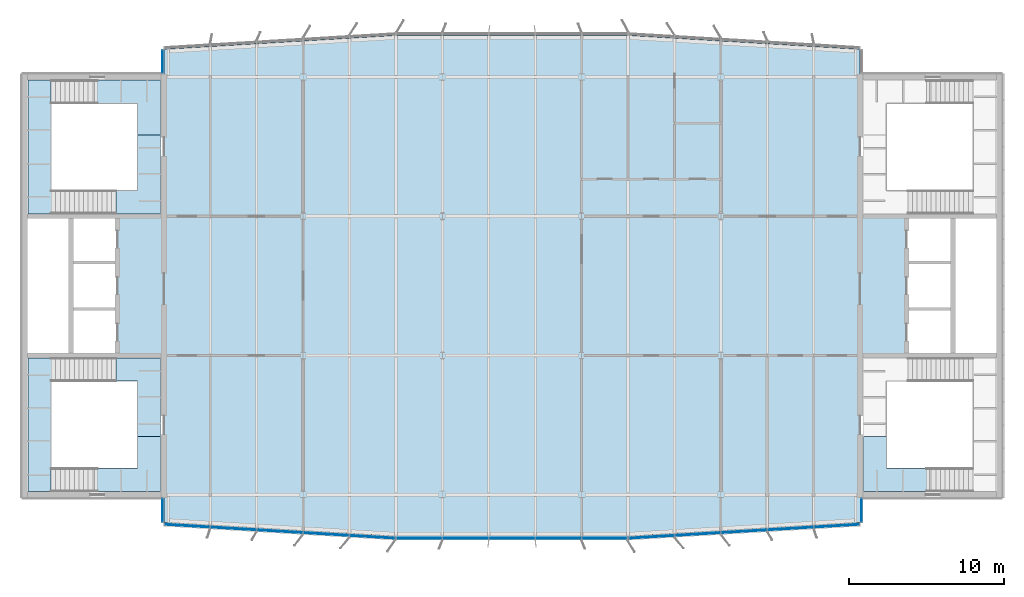
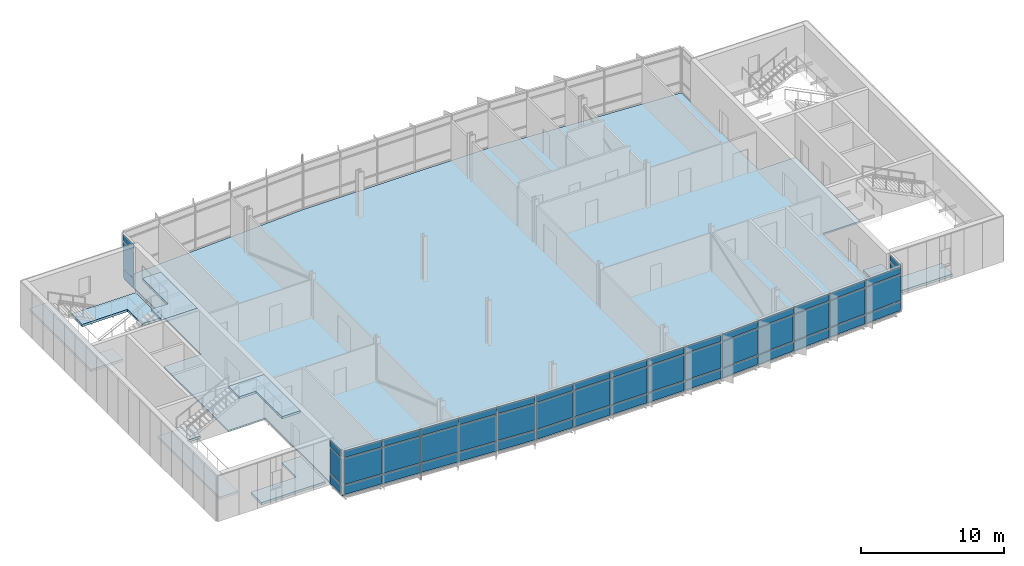
# One storey, part 10 of 18: 54 plates, 8 slabs, 9 elements without a shape of their own.
"""IFC4 building model written with IfcOpenShell, lengths in metres."""

from ifc_helpers import new_model, si_unit, direction, frame, origin, origin_2d, place, context, subcontext, project, spatial, polyline, rectangle, outline, extrude, material, layer, layer_set, type_object, element, aggregate, save


model = new_model("IFC4")

# Units and contexts
model_context = context("Model", 3, precision=1e-05, world=origin(), true_north=direction((0.0, 1.0)))
body_context = subcontext(model_context, "Body", "Model", "MODEL_VIEW")
ifc_project = project(units=[si_unit("LENGTHUNIT", "METRE"), si_unit("AREAUNIT", "SQUARE_METRE"), si_unit("VOLUMEUNIT", "CUBIC_METRE"), si_unit("PLANEANGLEUNIT", "RADIAN"), si_unit("MASSUNIT", "GRAM", prefix="KILO")], contexts=[model_context])

# Site, building, storey
site_placement = place(None, origin())
site = spatial("IfcSite", under=ifc_project, at=site_placement, CompositionType="ELEMENT")
building_placement = place(site_placement, origin())
building = spatial("IfcBuilding", under=site, at=building_placement, Name="Azimuth Sports and Learning Centre", CompositionType="ELEMENT")
storey_placement = place(building_placement, frame((0.0, 0.0, 59.699951171875)))
storey = spatial("IfcBuildingStorey", under=building, at=storey_placement, Name="L13", CompositionType="ELEMENT", Elevation=59.699951171875)

# Slab
ifc_material_1 = material(Name="Concrete C30/37", Category="concrete")
ifc_layer_1 = layer(ifc_material_1, 0.1298828125)
ifc_layer_set_1 = layer_set([ifc_layer_1], Name="Concrete C30/37")
slab_type_1 = type_object("IfcSlabType", Name="Composite floor slab 130", PredefinedType="FLOOR", material=ifc_layer_set_1)
slab_1_placement = place(storey_placement, frame((0.0, 0.0, -0.1298828125)))
element("IfcSlab", 1, at=slab_1_placement, inside=storey, type_object=slab_type_1, Name="Slab TOWER L13", PredefinedType="FLOOR", context=body_context, shape_type="SweptSolid", body=[
    extrude(outline(polyline([(78.0, 87.300048828125), (93.0, 87.300048828125), (108.0, 88.199951171875), (108.0, 99.0), (111.0, 99.0), (111.0, 108.0), (108.0, 108.0), (108.0, 118.800048828125), (93.0, 119.699951171875), (78.0, 119.699951171875), (63.0, 118.800048828125), (63.0, 108.0), (60.0, 108.0), (60.0, 99.0), (63.0, 99.0), (63.0, 88.199951171875), (78.0, 87.300048828125)])), origin(), (0.0, 0.0, 1.0), 0.1298828125),
])

# Stair, slabs
ifc_material_2 = material(Name="Concrete C32/40", Category="concrete")
stair_type = type_object("IfcStairType", Name="Square-well stair core 3900 storey", PredefinedType="THREE_QUARTER_TURN_STAIR", material=ifc_material_2)
stair_1_placement = place(storey_placement, origin())
stair_1 = element("IfcStair", 2, at=stair_1_placement, inside=storey, type_object=stair_type, Name="Stair W1 L13-L14", PredefinedType="THREE_QUARTER_TURN_STAIR")
ifc_material_3 = material(Name="Concrete C32/40", Category="concrete")
ifc_layer_2 = layer(ifc_material_3, 0.199951171875)
ifc_layer_set_2 = layer_set([ifc_layer_2], Name="Concrete C32/40")
slab_type_2 = type_object("IfcSlabType", Name="Concrete stair landing", PredefinedType="LANDING", material=ifc_layer_set_2)
slab_2_placement = place(storey_placement, frame((0.0, 0.0, -0.199951171875)))
slab_2 = element("IfcSlab", 3, at=slab_2_placement, type_object=slab_type_2, Name="Stair W1 L13 landing 1", PredefinedType="LANDING", context=body_context, shape_type="SweptSolid", body=[
    extrude(outline(polyline([(62.7900390625, 90.2099609375), (62.7900390625, 93.75), (61.2900390625, 93.75), (61.2900390625, 91.7099609375), (57.610107421875, 91.7099609375), (57.610107421875, 90.2099609375), (62.7900390625, 90.2099609375)])), origin(), (0.0, 0.0, 1.0), 0.199951171875),
])
slab_3_placement = place(storey_placement, frame((0.0, 0.0, 1.449951171875)))
slab_3 = element("IfcSlab", 4, at=slab_3_placement, type_object=slab_type_2, Name="Stair W1 L13 landing 2", PredefinedType="LANDING", context=body_context, shape_type="SweptSolid", body=[
    extrude(outline(polyline([(55.7099609375, 91.7099609375), (55.7099609375, 97.340087890625), (56.81005859375, 97.340087890625), (56.81005859375, 98.840087890625), (54.2099609375, 98.840087890625), (54.2099609375, 90.2099609375), (55.710693359375, 90.2099609375), (55.710693359375, 91.7099609375), (55.7099609375, 91.7099609375)])), origin(), (0.0, 0.0, 1.0), 0.2001953125),
])
slab_4_placement = place(storey_placement, frame((0.0, 0.0, 3.699951171875)))
slab_4 = element("IfcSlab", 5, at=slab_4_placement, type_object=slab_type_2, Name="Stair W1 L13 landing 3", PredefinedType="LANDING", context=body_context, shape_type="SweptSolid", body=[
    extrude(outline(polyline([(61.2900390625, 97.340087890625), (61.2900390625, 93.75), (62.7900390625, 93.75), (62.7900390625, 98.840087890625), (59.9091796875, 98.840087890625), (59.9091796875, 97.340087890625), (61.2900390625, 97.340087890625)])), origin(), (0.0, 0.0, 1.0), 0.2001953125),
])
aggregate(stair_1, [slab_2, slab_3, slab_4])

stair_2_placement = place(storey_placement, origin())
stair_2 = element("IfcStair", 6, at=stair_2_placement, inside=storey, type_object=stair_type, Name="Stair W2 L13-L14", PredefinedType="THREE_QUARTER_TURN_STAIR")
slab_5_placement = place(storey_placement, frame((0.0, 0.0, -0.199951171875)))
slab_5 = element("IfcSlab", 7, at=slab_5_placement, type_object=slab_type_2, Name="Stair W2 L13 landing 1", PredefinedType="LANDING", context=body_context, shape_type="SweptSolid", body=[
    extrude(outline(polyline([(57.610107421875, 115.2900390625), (61.2900390625, 115.2900390625), (61.2900390625, 113.25), (62.7900390625, 113.25), (62.7900390625, 116.7900390625), (57.610107421875, 116.7900390625), (57.610107421875, 115.2900390625)])), origin(), (0.0, 0.0, 1.0), 0.199951171875),
])
slab_6_placement = place(storey_placement, frame((0.0, 0.0, 1.449951171875)))
slab_6 = element("IfcSlab", 8, at=slab_6_placement, type_object=slab_type_2, Name="Stair W2 L13 landing 2", PredefinedType="LANDING", context=body_context, shape_type="SweptSolid", body=[
    extrude(outline(polyline([(55.7099609375, 115.2900390625), (55.710693359375, 115.2900390625), (55.710693359375, 116.7900390625), (54.2099609375, 116.7900390625), (54.2099609375, 108.159912109375), (56.81005859375, 108.159912109375), (56.81005859375, 109.659912109375), (55.7099609375, 109.659912109375), (55.7099609375, 115.2900390625)])), origin(), (0.0, 0.0, 1.0), 0.2001953125),
])
slab_7_placement = place(storey_placement, frame((0.0, 0.0, 3.699951171875)))
slab_7 = element("IfcSlab", 9, at=slab_7_placement, type_object=slab_type_2, Name="Stair W2 L13 landing 3", PredefinedType="LANDING", context=body_context, shape_type="SweptSolid", body=[
    extrude(outline(polyline([(61.2900390625, 109.659912109375), (59.9091796875, 109.659912109375), (59.9091796875, 108.159912109375), (62.7900390625, 108.159912109375), (62.7900390625, 113.25), (61.2900390625, 113.25), (61.2900390625, 109.659912109375)])), origin(), (0.0, 0.0, 1.0), 0.2001953125),
])
aggregate(stair_2, [slab_5, slab_6, slab_7])

# Stair, slab
stair_3_placement = place(storey_placement, origin())
stair_3 = element("IfcStair", 10, at=stair_3_placement, inside=storey, type_object=stair_type, Name="Stair E1 L13-L14", PredefinedType="THREE_QUARTER_TURN_STAIR")
slab_8_placement = place(storey_placement, frame((0.0, 0.0, -0.199951171875)))
slab_8 = element("IfcSlab", 11, at=slab_8_placement, type_object=slab_type_2, Name="Stair E1 L13 landing 1", PredefinedType="LANDING", context=body_context, shape_type="SweptSolid", body=[
    extrude(outline(polyline([(113.389892578125, 91.7099609375), (109.7099609375, 91.7099609375), (109.7099609375, 93.75), (108.2099609375, 93.75), (108.2099609375, 90.2099609375), (113.389892578125, 90.2099609375), (113.389892578125, 91.7099609375)])), origin(), (0.0, 0.0, 1.0), 0.199951171875),
])
aggregate(stair_3, [slab_8])

# Curtain wall, plates
ifc_material_4 = material(Name="Aluminium and glass", Category="aluminium")
curtain_wall_type_1 = type_object("IfcCurtainWallType", Name="Curtain wall tower return 180", PredefinedType="NOTDEFINED", material=ifc_material_4)
curtain_wall_1_placement = place(storey_placement, origin())
curtain_wall_1 = element("IfcCurtainWall", 12, at=curtain_wall_1_placement, inside=storey, type_object=curtain_wall_type_1, Name="Curtain wall CW13-001", PredefinedType="NOTDEFINED")
ifc_material_5 = material(Name="Insulated aluminium panel", Category="aluminium")
ifc_layer_3 = layer(ifc_material_5, 0.050048828125)
ifc_layer_set_3 = layer_set([ifc_layer_3], Name="Insulated aluminium panel")
plate_type_1 = type_object("IfcPlateType", Name="Spandrel panel 50 mm", PredefinedType="CURTAIN_PANEL", material=ifc_layer_set_3)
plate_1_placement = place(storey_placement, frame((62.909912109375, 89.0, 0.10009765625), z_axis=(0.0, 0.0, 1.0), x_axis=(0.0, -1.0, 0.0)))
plate_1 = element("IfcPlate", 13, at=plate_1_placement, type_object=plate_type_1, Name="CW13-001 panel 1.1", PredefinedType="CURTAIN_PANEL", context=body_context, shape_type="SweptSolid", body=[
    extrude(rectangle(XDim=1.47998046875, YDim=0.050048828125, at=origin_2d()), origin(), (0.0, 0.0, 1.0), 0.75),
])
plate_2_placement = place(storey_placement, frame((62.909912109375, 89.0, 3.25), z_axis=(0.0, 0.0, 1.0), x_axis=(0.0, -1.0, 0.0)))
plate_2 = element("IfcPlate", 14, at=plate_2_placement, type_object=plate_type_1, Name="CW13-001 panel 1.3", PredefinedType="CURTAIN_PANEL", context=body_context, shape_type="SweptSolid", body=[
    extrude(rectangle(XDim=1.47998046875, YDim=0.050048828125, at=origin_2d()), origin(), (0.0, 0.0, 1.0), 0.550048828125),
])

ifc_material_6 = material(Name="Aluminium and glass", Category="aluminium")
curtain_wall_type_2 = type_object("IfcCurtainWallType", Name="Curtain wall tower south 240", PredefinedType="NOTDEFINED", material=ifc_material_6)
curtain_wall_2_placement = place(storey_placement, origin())
curtain_wall_2 = element("IfcCurtainWall", 15, at=curtain_wall_2_placement, inside=storey, type_object=curtain_wall_type_2, Name="Curtain wall CW13-002", PredefinedType="NOTDEFINED")
plate_3_placement = place(storey_placement, frame((64.51025390625, 87.9892578125, 0.10009765625), z_axis=(0.0, 0.0, 1.0), x_axis=(0.998204863401, -0.059891991812, 0.0)))
plate_3 = element("IfcPlate", 16, at=plate_3_placement, type_object=plate_type_1, Name="CW13-002 panel 1.1", PredefinedType="CURTAIN_PANEL", context=body_context, shape_type="SweptSolid", body=[
    extrude(rectangle(XDim=2.900390625, YDim=0.050048828125, at=origin_2d()), origin(), (0.0, 0.0, 1.0), 0.75),
])
plate_4_placement = place(storey_placement, frame((64.51025390625, 87.9892578125, 3.25), z_axis=(0.0, 0.0, 1.0), x_axis=(0.998204863401, -0.059891991812, 0.0)))
plate_4 = element("IfcPlate", 17, at=plate_4_placement, type_object=plate_type_1, Name="CW13-002 panel 1.3", PredefinedType="CURTAIN_PANEL", context=body_context, shape_type="SweptSolid", body=[
    extrude(rectangle(XDim=2.900390625, YDim=0.050048828125, at=origin_2d()), origin(), (0.0, 0.0, 1.0), 0.550048828125),
])
plate_5_placement = place(storey_placement, frame((67.492919921875, 87.810302734375, 0.10009765625), z_axis=(0.0, 0.0, 1.0), x_axis=(0.998204863401, -0.059891991812, 0.0)))
plate_5 = element("IfcPlate", 18, at=plate_5_placement, type_object=plate_type_1, Name="CW13-002 panel 2.1", PredefinedType="CURTAIN_PANEL", context=body_context, shape_type="SweptSolid", body=[
    extrude(rectangle(XDim=2.935302734375, YDim=0.050048828125, at=origin_2d()), origin(), (0.0, 0.0, 1.0), 0.75),
])
plate_6_placement = place(storey_placement, frame((67.492919921875, 87.810302734375, 3.25), z_axis=(0.0, 0.0, 1.0), x_axis=(0.998204863401, -0.059891991812, 0.0)))
plate_6 = element("IfcPlate", 19, at=plate_6_placement, type_object=plate_type_1, Name="CW13-002 panel 2.3", PredefinedType="CURTAIN_PANEL", context=body_context, shape_type="SweptSolid", body=[
    extrude(rectangle(XDim=2.935302734375, YDim=0.050048828125, at=origin_2d()), origin(), (0.0, 0.0, 1.0), 0.550048828125),
])
plate_7_placement = place(storey_placement, frame((70.492919921875, 87.630126953125, 0.10009765625), z_axis=(0.0, 0.0, 1.0), x_axis=(0.998204863401, -0.059891991812, 0.0)))
plate_7 = element("IfcPlate", 20, at=plate_7_placement, type_object=plate_type_1, Name="CW13-002 panel 3.1", PredefinedType="CURTAIN_PANEL", context=body_context, shape_type="SweptSolid", body=[
    extrude(rectangle(XDim=2.935302734375, YDim=0.050048828125, at=origin_2d()), origin(), (0.0, 0.0, 1.0), 0.75),
])
plate_8_placement = place(storey_placement, frame((70.492919921875, 87.630126953125, 3.25), z_axis=(0.0, 0.0, 1.0), x_axis=(0.998204863401, -0.059891991812, 0.0)))
plate_8 = element("IfcPlate", 21, at=plate_8_placement, type_object=plate_type_1, Name="CW13-002 panel 3.3", PredefinedType="CURTAIN_PANEL", context=body_context, shape_type="SweptSolid", body=[
    extrude(rectangle(XDim=2.935302734375, YDim=0.050048828125, at=origin_2d()), origin(), (0.0, 0.0, 1.0), 0.550048828125),
])
plate_9_placement = place(storey_placement, frame((73.492919921875, 87.4501953125, 0.10009765625), z_axis=(0.0, 0.0, 1.0), x_axis=(0.998204863401, -0.059891991812, 0.0)))
plate_9 = element("IfcPlate", 22, at=plate_9_placement, type_object=plate_type_1, Name="CW13-002 panel 4.1", PredefinedType="CURTAIN_PANEL", context=body_context, shape_type="SweptSolid", body=[
    extrude(rectangle(XDim=2.935302734375, YDim=0.050048828125, at=origin_2d()), origin(), (0.0, 0.0, 1.0), 0.75),
])
plate_10_placement = place(storey_placement, frame((73.492919921875, 87.4501953125, 3.25), z_axis=(0.0, 0.0, 1.0), x_axis=(0.998204863401, -0.059891991812, 0.0)))
plate_10 = element("IfcPlate", 23, at=plate_10_placement, type_object=plate_type_1, Name="CW13-002 panel 4.3", PredefinedType="CURTAIN_PANEL", context=body_context, shape_type="SweptSolid", body=[
    extrude(rectangle(XDim=2.935302734375, YDim=0.050048828125, at=origin_2d()), origin(), (0.0, 0.0, 1.0), 0.550048828125),
])
plate_11_placement = place(storey_placement, frame((76.475341796875, 87.271240234375, 0.10009765625), z_axis=(0.0, 0.0, 1.0), x_axis=(0.998204863401, -0.059891991812, 0.0)))
plate_11 = element("IfcPlate", 24, at=plate_11_placement, type_object=plate_type_1, Name="CW13-002 panel 5.1", PredefinedType="CURTAIN_PANEL", context=body_context, shape_type="SweptSolid", body=[
    extrude(rectangle(XDim=2.900390625, YDim=0.050048828125, at=origin_2d()), origin(), (0.0, 0.0, 1.0), 0.75),
])
plate_12_placement = place(storey_placement, frame((76.475341796875, 87.271240234375, 3.25), z_axis=(0.0, 0.0, 1.0), x_axis=(0.998204863401, -0.059891991812, 0.0)))
plate_12 = element("IfcPlate", 25, at=plate_12_placement, type_object=plate_type_1, Name="CW13-002 panel 5.3", PredefinedType="CURTAIN_PANEL", context=body_context, shape_type="SweptSolid", body=[
    extrude(rectangle(XDim=2.900390625, YDim=0.050048828125, at=origin_2d()), origin(), (0.0, 0.0, 1.0), 0.550048828125),
])

curtain_wall_3_placement = place(storey_placement, origin())
curtain_wall_3 = element("IfcCurtainWall", 26, at=curtain_wall_3_placement, inside=storey, type_object=curtain_wall_type_2, Name="Curtain wall CW13-003", PredefinedType="NOTDEFINED")
plate_13_placement = place(storey_placement, frame((79.513916015625, 87.179931640625, 0.10009765625), z_axis=(0.0, 0.0, 1.0), x_axis=(1.0, 0.0, 0.0)))
plate_13 = element("IfcPlate", 27, at=plate_13_placement, type_object=plate_type_1, Name="CW13-003 panel 1.1", PredefinedType="CURTAIN_PANEL", context=body_context, shape_type="SweptSolid", body=[
    extrude(rectangle(XDim=2.902099609375, YDim=0.050048828125, at=origin_2d()), origin(), (0.0, 0.0, 1.0), 0.75),
])
plate_14_placement = place(storey_placement, frame((79.513916015625, 87.179931640625, 3.25), z_axis=(0.0, 0.0, 1.0), x_axis=(1.0, 0.0, 0.0)))
plate_14 = element("IfcPlate", 28, at=plate_14_placement, type_object=plate_type_1, Name="CW13-003 panel 1.3", PredefinedType="CURTAIN_PANEL", context=body_context, shape_type="SweptSolid", body=[
    extrude(rectangle(XDim=2.902099609375, YDim=0.050048828125, at=origin_2d()), origin(), (0.0, 0.0, 1.0), 0.550048828125),
])
plate_15_placement = place(storey_placement, frame((82.5, 87.179931640625, 0.10009765625), z_axis=(0.0, 0.0, 1.0), x_axis=(1.0, 0.0, 0.0)))
plate_15 = element("IfcPlate", 29, at=plate_15_placement, type_object=plate_type_1, Name="CW13-003 panel 2.1", PredefinedType="CURTAIN_PANEL", context=body_context, shape_type="SweptSolid", body=[
    extrude(rectangle(XDim=2.929931640625, YDim=0.050048828125, at=origin_2d()), origin(), (0.0, 0.0, 1.0), 0.75),
])
plate_16_placement = place(storey_placement, frame((82.5, 87.179931640625, 3.25), z_axis=(0.0, 0.0, 1.0), x_axis=(1.0, 0.0, 0.0)))
plate_16 = element("IfcPlate", 30, at=plate_16_placement, type_object=plate_type_1, Name="CW13-003 panel 2.3", PredefinedType="CURTAIN_PANEL", context=body_context, shape_type="SweptSolid", body=[
    extrude(rectangle(XDim=2.929931640625, YDim=0.050048828125, at=origin_2d()), origin(), (0.0, 0.0, 1.0), 0.550048828125),
])
plate_17_placement = place(storey_placement, frame((85.5, 87.179931640625, 0.10009765625), z_axis=(0.0, 0.0, 1.0), x_axis=(1.0, 0.0, 0.0)))
plate_17 = element("IfcPlate", 31, at=plate_17_placement, type_object=plate_type_1, Name="CW13-003 panel 3.1", PredefinedType="CURTAIN_PANEL", context=body_context, shape_type="SweptSolid", body=[
    extrude(rectangle(XDim=2.929931640625, YDim=0.050048828125, at=origin_2d()), origin(), (0.0, 0.0, 1.0), 0.75),
])
plate_18_placement = place(storey_placement, frame((85.5, 87.179931640625, 3.25), z_axis=(0.0, 0.0, 1.0), x_axis=(1.0, 0.0, 0.0)))
plate_18 = element("IfcPlate", 32, at=plate_18_placement, type_object=plate_type_1, Name="CW13-003 panel 3.3", PredefinedType="CURTAIN_PANEL", context=body_context, shape_type="SweptSolid", body=[
    extrude(rectangle(XDim=2.929931640625, YDim=0.050048828125, at=origin_2d()), origin(), (0.0, 0.0, 1.0), 0.550048828125),
])
plate_19_placement = place(storey_placement, frame((88.5, 87.179931640625, 0.10009765625), z_axis=(0.0, 0.0, 1.0), x_axis=(1.0, 0.0, 0.0)))
plate_19 = element("IfcPlate", 33, at=plate_19_placement, type_object=plate_type_1, Name="CW13-003 panel 4.1", PredefinedType="CURTAIN_PANEL", context=body_context, shape_type="SweptSolid", body=[
    extrude(rectangle(XDim=2.929931640625, YDim=0.050048828125, at=origin_2d()), origin(), (0.0, 0.0, 1.0), 0.75),
])
plate_20_placement = place(storey_placement, frame((88.5, 87.179931640625, 3.25), z_axis=(0.0, 0.0, 1.0), x_axis=(1.0, 0.0, 0.0)))
plate_20 = element("IfcPlate", 34, at=plate_20_placement, type_object=plate_type_1, Name="CW13-003 panel 4.3", PredefinedType="CURTAIN_PANEL", context=body_context, shape_type="SweptSolid", body=[
    extrude(rectangle(XDim=2.929931640625, YDim=0.050048828125, at=origin_2d()), origin(), (0.0, 0.0, 1.0), 0.550048828125),
])
plate_21_placement = place(storey_placement, frame((91.482421875, 87.179931640625, 0.10009765625), z_axis=(0.0, 0.0, 1.0), x_axis=(1.0, 0.0, 0.0)))
plate_21 = element("IfcPlate", 35, at=plate_21_placement, type_object=plate_type_1, Name="CW13-003 panel 5.1", PredefinedType="CURTAIN_PANEL", context=body_context, shape_type="SweptSolid", body=[
    extrude(rectangle(XDim=2.89501953125, YDim=0.050048828125, at=origin_2d()), origin(), (0.0, 0.0, 1.0), 0.75),
])
plate_22_placement = place(storey_placement, frame((91.482421875, 87.179931640625, 3.25), z_axis=(0.0, 0.0, 1.0), x_axis=(1.0, 0.0, 0.0)))
plate_22 = element("IfcPlate", 36, at=plate_22_placement, type_object=plate_type_1, Name="CW13-003 panel 5.3", PredefinedType="CURTAIN_PANEL", context=body_context, shape_type="SweptSolid", body=[
    extrude(rectangle(XDim=2.89501953125, YDim=0.050048828125, at=origin_2d()), origin(), (0.0, 0.0, 1.0), 0.550048828125),
])

curtain_wall_4_placement = place(storey_placement, origin())
curtain_wall_4 = element("IfcCurtainWall", 37, at=curtain_wall_4_placement, inside=storey, type_object=curtain_wall_type_2, Name="Curtain wall CW13-004", PredefinedType="NOTDEFINED")
plate_23_placement = place(storey_placement, frame((94.52099609375, 87.27099609375, 0.10009765625), z_axis=(0.0, 0.0, 1.0), x_axis=(0.998204863401, 0.059891991812, 0.0)))
plate_23 = element("IfcPlate", 38, at=plate_23_placement, type_object=plate_type_1, Name="CW13-004 panel 1.1", PredefinedType="CURTAIN_PANEL", context=body_context, shape_type="SweptSolid", body=[
    extrude(rectangle(XDim=2.90771484375, YDim=0.050048828125, at=origin_2d()), origin(), (0.0, 0.0, 1.0), 0.75),
])
plate_24_placement = place(storey_placement, frame((94.52099609375, 87.27099609375, 3.25), z_axis=(0.0, 0.0, 1.0), x_axis=(0.998204863401, 0.059891991812, 0.0)))
plate_24 = element("IfcPlate", 39, at=plate_24_placement, type_object=plate_type_1, Name="CW13-004 panel 1.3", PredefinedType="CURTAIN_PANEL", context=body_context, shape_type="SweptSolid", body=[
    extrude(rectangle(XDim=2.90771484375, YDim=0.050048828125, at=origin_2d()), origin(), (0.0, 0.0, 1.0), 0.550048828125),
])
plate_25_placement = place(storey_placement, frame((97.507080078125, 87.4501953125, 0.10009765625), z_axis=(0.0, 0.0, 1.0), x_axis=(0.998204863401, 0.059891991812, 0.0)))
plate_25 = element("IfcPlate", 40, at=plate_25_placement, type_object=plate_type_1, Name="CW13-004 panel 2.1", PredefinedType="CURTAIN_PANEL", context=body_context, shape_type="SweptSolid", body=[
    extrude(rectangle(XDim=2.935302734375, YDim=0.050048828125, at=origin_2d()), origin(), (0.0, 0.0, 1.0), 0.75),
])
plate_26_placement = place(storey_placement, frame((97.507080078125, 87.4501953125, 3.25), z_axis=(0.0, 0.0, 1.0), x_axis=(0.998204863401, 0.059891991812, 0.0)))
plate_26 = element("IfcPlate", 41, at=plate_26_placement, type_object=plate_type_1, Name="CW13-004 panel 2.3", PredefinedType="CURTAIN_PANEL", context=body_context, shape_type="SweptSolid", body=[
    extrude(rectangle(XDim=2.935302734375, YDim=0.050048828125, at=origin_2d()), origin(), (0.0, 0.0, 1.0), 0.550048828125),
])
plate_27_placement = place(storey_placement, frame((100.507080078125, 87.630126953125, 0.10009765625), z_axis=(0.0, 0.0, 1.0), x_axis=(0.998204863401, 0.059891991812, 0.0)))
plate_27 = element("IfcPlate", 42, at=plate_27_placement, type_object=plate_type_1, Name="CW13-004 panel 3.1", PredefinedType="CURTAIN_PANEL", context=body_context, shape_type="SweptSolid", body=[
    extrude(rectangle(XDim=2.935302734375, YDim=0.050048828125, at=origin_2d()), origin(), (0.0, 0.0, 1.0), 0.75),
])
plate_28_placement = place(storey_placement, frame((100.507080078125, 87.630126953125, 3.25), z_axis=(0.0, 0.0, 1.0), x_axis=(0.998204863401, 0.059891991812, 0.0)))
plate_28 = element("IfcPlate", 43, at=plate_28_placement, type_object=plate_type_1, Name="CW13-004 panel 3.3", PredefinedType="CURTAIN_PANEL", context=body_context, shape_type="SweptSolid", body=[
    extrude(rectangle(XDim=2.935302734375, YDim=0.050048828125, at=origin_2d()), origin(), (0.0, 0.0, 1.0), 0.550048828125),
])
plate_29_placement = place(storey_placement, frame((103.507080078125, 87.810302734375, 0.10009765625), z_axis=(0.0, 0.0, 1.0), x_axis=(0.998204863401, 0.059891991812, 0.0)))
plate_29 = element("IfcPlate", 44, at=plate_29_placement, type_object=plate_type_1, Name="CW13-004 panel 4.1", PredefinedType="CURTAIN_PANEL", context=body_context, shape_type="SweptSolid", body=[
    extrude(rectangle(XDim=2.935302734375, YDim=0.050048828125, at=origin_2d()), origin(), (0.0, 0.0, 1.0), 0.75),
])
plate_30_placement = place(storey_placement, frame((103.507080078125, 87.810302734375, 3.25), z_axis=(0.0, 0.0, 1.0), x_axis=(0.998204863401, 0.059891991812, 0.0)))
plate_30 = element("IfcPlate", 45, at=plate_30_placement, type_object=plate_type_1, Name="CW13-004 panel 4.3", PredefinedType="CURTAIN_PANEL", context=body_context, shape_type="SweptSolid", body=[
    extrude(rectangle(XDim=2.935302734375, YDim=0.050048828125, at=origin_2d()), origin(), (0.0, 0.0, 1.0), 0.550048828125),
])
plate_31_placement = place(storey_placement, frame((106.48974609375, 87.9892578125, 0.10009765625), z_axis=(0.0, 0.0, 1.0), x_axis=(0.998204863401, 0.059891991812, 0.0)))
plate_31 = element("IfcPlate", 46, at=plate_31_placement, type_object=plate_type_1, Name="CW13-004 panel 5.1", PredefinedType="CURTAIN_PANEL", context=body_context, shape_type="SweptSolid", body=[
    extrude(rectangle(XDim=2.900390625, YDim=0.050048828125, at=origin_2d()), origin(), (0.0, 0.0, 1.0), 0.75),
])
plate_32_placement = place(storey_placement, frame((106.48974609375, 87.9892578125, 3.25), z_axis=(0.0, 0.0, 1.0), x_axis=(0.998204863401, 0.059891991812, 0.0)))
plate_32 = element("IfcPlate", 47, at=plate_32_placement, type_object=plate_type_1, Name="CW13-004 panel 5.3", PredefinedType="CURTAIN_PANEL", context=body_context, shape_type="SweptSolid", body=[
    extrude(rectangle(XDim=2.900390625, YDim=0.050048828125, at=origin_2d()), origin(), (0.0, 0.0, 1.0), 0.550048828125),
])

curtain_wall_5_placement = place(storey_placement, origin())
curtain_wall_5 = element("IfcCurtainWall", 48, at=curtain_wall_5_placement, inside=storey, type_object=curtain_wall_type_1, Name="Curtain wall CW13-005", PredefinedType="NOTDEFINED")
plate_33_placement = place(storey_placement, frame((108.090087890625, 89.0, 0.10009765625), z_axis=(0.0, 0.0, 1.0), x_axis=(0.0, 1.0, 0.0)))
plate_33 = element("IfcPlate", 49, at=plate_33_placement, type_object=plate_type_1, Name="CW13-005 panel 1.1", PredefinedType="CURTAIN_PANEL", context=body_context, shape_type="SweptSolid", body=[
    extrude(rectangle(XDim=1.47998046875, YDim=0.050048828125, at=origin_2d()), origin(), (0.0, 0.0, 1.0), 0.75),
])
plate_34_placement = place(storey_placement, frame((108.090087890625, 89.0, 3.25), z_axis=(0.0, 0.0, 1.0), x_axis=(0.0, 1.0, 0.0)))
plate_34 = element("IfcPlate", 50, at=plate_34_placement, type_object=plate_type_1, Name="CW13-005 panel 1.3", PredefinedType="CURTAIN_PANEL", context=body_context, shape_type="SweptSolid", body=[
    extrude(rectangle(XDim=1.47998046875, YDim=0.050048828125, at=origin_2d()), origin(), (0.0, 0.0, 1.0), 0.550048828125),
])

curtain_wall_6_placement = place(storey_placement, origin())
curtain_wall_6 = element("IfcCurtainWall", 51, at=curtain_wall_6_placement, inside=storey, type_object=curtain_wall_type_1, Name="Curtain wall CW13-010", PredefinedType="NOTDEFINED")
plate_35_placement = place(storey_placement, frame((62.909912109375, 118.0, 0.10009765625), z_axis=(0.0, 0.0, 1.0), x_axis=(0.0, -1.0, 0.0)))
plate_35 = element("IfcPlate", 52, at=plate_35_placement, type_object=plate_type_1, Name="CW13-010 panel 1.1", PredefinedType="CURTAIN_PANEL", context=body_context, shape_type="SweptSolid", body=[
    extrude(rectangle(XDim=1.47998046875, YDim=0.050048828125, at=origin_2d()), origin(), (0.0, 0.0, 1.0), 0.75),
])
plate_36_placement = place(storey_placement, frame((62.909912109375, 118.0, 3.25), z_axis=(0.0, 0.0, 1.0), x_axis=(0.0, -1.0, 0.0)))
plate_36 = element("IfcPlate", 53, at=plate_36_placement, type_object=plate_type_1, Name="CW13-010 panel 1.3", PredefinedType="CURTAIN_PANEL", context=body_context, shape_type="SweptSolid", body=[
    extrude(rectangle(XDim=1.47998046875, YDim=0.050048828125, at=origin_2d()), origin(), (0.0, 0.0, 1.0), 0.550048828125),
])

# Plate
ifc_material_7 = material(Name="Glass", Category="glass")
ifc_layer_4 = layer(ifc_material_7, 0.031982421875)
ifc_layer_set_4 = layer_set([ifc_layer_4], Name="Glass")
plate_type_2 = type_object("IfcPlateType", Name="Vision glass 32 mm", PredefinedType="CURTAIN_PANEL", material=ifc_layer_set_4)
plate_37_placement = place(storey_placement, frame((62.909912109375, 89.0, 0.9501953125), z_axis=(0.0, 0.0, 1.0), x_axis=(0.0, -1.0, 0.0)))
plate_37 = element("IfcPlate", 54, at=plate_37_placement, type_object=plate_type_2, Name="CW13-001 panel 1.2", PredefinedType="CURTAIN_PANEL", context=body_context, shape_type="SweptSolid", body=[
    extrude(rectangle(XDim=1.47998046875, YDim=0.031982421875, at=origin_2d()), origin(), (0.0, 0.0, 1.0), 2.199951171875),
])

aggregate(curtain_wall_1, [plate_1, plate_37, plate_2])

plate_38_placement = place(storey_placement, frame((64.51025390625, 87.9892578125, 0.9501953125), z_axis=(0.0, 0.0, 1.0), x_axis=(0.998204863401, -0.059891991812, 0.0)))
plate_38 = element("IfcPlate", 55, at=plate_38_placement, type_object=plate_type_2, Name="CW13-002 panel 1.2", PredefinedType="CURTAIN_PANEL", context=body_context, shape_type="SweptSolid", body=[
    extrude(rectangle(XDim=2.900390625, YDim=0.031982421875, at=origin_2d()), origin(), (0.0, 0.0, 1.0), 2.199951171875),
])

plate_39_placement = place(storey_placement, frame((67.492919921875, 87.810302734375, 0.9501953125), z_axis=(0.0, 0.0, 1.0), x_axis=(0.998204863401, -0.059891991812, 0.0)))
plate_39 = element("IfcPlate", 56, at=plate_39_placement, type_object=plate_type_2, Name="CW13-002 panel 2.2", PredefinedType="CURTAIN_PANEL", context=body_context, shape_type="SweptSolid", body=[
    extrude(rectangle(XDim=2.935302734375, YDim=0.031982421875, at=origin_2d()), origin(), (0.0, 0.0, 1.0), 2.199951171875),
])

plate_40_placement = place(storey_placement, frame((70.492919921875, 87.630126953125, 0.9501953125), z_axis=(0.0, 0.0, 1.0), x_axis=(0.998204863401, -0.059891991812, 0.0)))
plate_40 = element("IfcPlate", 57, at=plate_40_placement, type_object=plate_type_2, Name="CW13-002 panel 3.2", PredefinedType="CURTAIN_PANEL", context=body_context, shape_type="SweptSolid", body=[
    extrude(rectangle(XDim=2.935302734375, YDim=0.031982421875, at=origin_2d()), origin(), (0.0, 0.0, 1.0), 2.199951171875),
])

plate_41_placement = place(storey_placement, frame((73.492919921875, 87.4501953125, 0.9501953125), z_axis=(0.0, 0.0, 1.0), x_axis=(0.998204863401, -0.059891991812, 0.0)))
plate_41 = element("IfcPlate", 58, at=plate_41_placement, type_object=plate_type_2, Name="CW13-002 panel 4.2", PredefinedType="CURTAIN_PANEL", context=body_context, shape_type="SweptSolid", body=[
    extrude(rectangle(XDim=2.935302734375, YDim=0.031982421875, at=origin_2d()), origin(), (0.0, 0.0, 1.0), 2.199951171875),
])

plate_42_placement = place(storey_placement, frame((76.475341796875, 87.271240234375, 0.9501953125), z_axis=(0.0, 0.0, 1.0), x_axis=(0.998204863401, -0.059891991812, 0.0)))
plate_42 = element("IfcPlate", 59, at=plate_42_placement, type_object=plate_type_2, Name="CW13-002 panel 5.2", PredefinedType="CURTAIN_PANEL", context=body_context, shape_type="SweptSolid", body=[
    extrude(rectangle(XDim=2.900390625, YDim=0.031982421875, at=origin_2d()), origin(), (0.0, 0.0, 1.0), 2.199951171875),
])

aggregate(curtain_wall_2, [plate_3, plate_38, plate_4, plate_5, plate_39, plate_6, plate_7, plate_40, plate_8, plate_9, plate_41, plate_10, plate_11, plate_42, plate_12])

plate_43_placement = place(storey_placement, frame((79.513916015625, 87.179931640625, 0.9501953125), z_axis=(0.0, 0.0, 1.0), x_axis=(1.0, 0.0, 0.0)))
plate_43 = element("IfcPlate", 60, at=plate_43_placement, type_object=plate_type_2, Name="CW13-003 panel 1.2", PredefinedType="CURTAIN_PANEL", context=body_context, shape_type="SweptSolid", body=[
    extrude(rectangle(XDim=2.902099609375, YDim=0.031982421875, at=origin_2d()), origin(), (0.0, 0.0, 1.0), 2.199951171875),
])

plate_44_placement = place(storey_placement, frame((82.5, 87.179931640625, 0.9501953125), z_axis=(0.0, 0.0, 1.0), x_axis=(1.0, 0.0, 0.0)))
plate_44 = element("IfcPlate", 61, at=plate_44_placement, type_object=plate_type_2, Name="CW13-003 panel 2.2", PredefinedType="CURTAIN_PANEL", context=body_context, shape_type="SweptSolid", body=[
    extrude(rectangle(XDim=2.929931640625, YDim=0.031982421875, at=origin_2d()), origin(), (0.0, 0.0, 1.0), 2.199951171875),
])

plate_45_placement = place(storey_placement, frame((85.5, 87.179931640625, 0.9501953125), z_axis=(0.0, 0.0, 1.0), x_axis=(1.0, 0.0, 0.0)))
plate_45 = element("IfcPlate", 62, at=plate_45_placement, type_object=plate_type_2, Name="CW13-003 panel 3.2", PredefinedType="CURTAIN_PANEL", context=body_context, shape_type="SweptSolid", body=[
    extrude(rectangle(XDim=2.929931640625, YDim=0.031982421875, at=origin_2d()), origin(), (0.0, 0.0, 1.0), 2.199951171875),
])

plate_46_placement = place(storey_placement, frame((88.5, 87.179931640625, 0.9501953125), z_axis=(0.0, 0.0, 1.0), x_axis=(1.0, 0.0, 0.0)))
plate_46 = element("IfcPlate", 63, at=plate_46_placement, type_object=plate_type_2, Name="CW13-003 panel 4.2", PredefinedType="CURTAIN_PANEL", context=body_context, shape_type="SweptSolid", body=[
    extrude(rectangle(XDim=2.929931640625, YDim=0.031982421875, at=origin_2d()), origin(), (0.0, 0.0, 1.0), 2.199951171875),
])

plate_47_placement = place(storey_placement, frame((91.482421875, 87.179931640625, 0.9501953125), z_axis=(0.0, 0.0, 1.0), x_axis=(1.0, 0.0, 0.0)))
plate_47 = element("IfcPlate", 64, at=plate_47_placement, type_object=plate_type_2, Name="CW13-003 panel 5.2", PredefinedType="CURTAIN_PANEL", context=body_context, shape_type="SweptSolid", body=[
    extrude(rectangle(XDim=2.89501953125, YDim=0.031982421875, at=origin_2d()), origin(), (0.0, 0.0, 1.0), 2.199951171875),
])

aggregate(curtain_wall_3, [plate_13, plate_43, plate_14, plate_15, plate_44, plate_16, plate_17, plate_45, plate_18, plate_19, plate_46, plate_20, plate_21, plate_47, plate_22])

plate_48_placement = place(storey_placement, frame((94.52099609375, 87.27099609375, 0.9501953125), z_axis=(0.0, 0.0, 1.0), x_axis=(0.998204863401, 0.059891991812, 0.0)))
plate_48 = element("IfcPlate", 65, at=plate_48_placement, type_object=plate_type_2, Name="CW13-004 panel 1.2", PredefinedType="CURTAIN_PANEL", context=body_context, shape_type="SweptSolid", body=[
    extrude(rectangle(XDim=2.90771484375, YDim=0.031982421875, at=origin_2d()), origin(), (0.0, 0.0, 1.0), 2.199951171875),
])

plate_49_placement = place(storey_placement, frame((97.507080078125, 87.4501953125, 0.9501953125), z_axis=(0.0, 0.0, 1.0), x_axis=(0.998204863401, 0.059891991812, 0.0)))
plate_49 = element("IfcPlate", 66, at=plate_49_placement, type_object=plate_type_2, Name="CW13-004 panel 2.2", PredefinedType="CURTAIN_PANEL", context=body_context, shape_type="SweptSolid", body=[
    extrude(rectangle(XDim=2.935302734375, YDim=0.031982421875, at=origin_2d()), origin(), (0.0, 0.0, 1.0), 2.199951171875),
])

plate_50_placement = place(storey_placement, frame((100.507080078125, 87.630126953125, 0.9501953125), z_axis=(0.0, 0.0, 1.0), x_axis=(0.998204863401, 0.059891991812, 0.0)))
plate_50 = element("IfcPlate", 67, at=plate_50_placement, type_object=plate_type_2, Name="CW13-004 panel 3.2", PredefinedType="CURTAIN_PANEL", context=body_context, shape_type="SweptSolid", body=[
    extrude(rectangle(XDim=2.935302734375, YDim=0.031982421875, at=origin_2d()), origin(), (0.0, 0.0, 1.0), 2.199951171875),
])

plate_51_placement = place(storey_placement, frame((103.507080078125, 87.810302734375, 0.9501953125), z_axis=(0.0, 0.0, 1.0), x_axis=(0.998204863401, 0.059891991812, 0.0)))
plate_51 = element("IfcPlate", 68, at=plate_51_placement, type_object=plate_type_2, Name="CW13-004 panel 4.2", PredefinedType="CURTAIN_PANEL", context=body_context, shape_type="SweptSolid", body=[
    extrude(rectangle(XDim=2.935302734375, YDim=0.031982421875, at=origin_2d()), origin(), (0.0, 0.0, 1.0), 2.199951171875),
])

plate_52_placement = place(storey_placement, frame((106.48974609375, 87.9892578125, 0.9501953125), z_axis=(0.0, 0.0, 1.0), x_axis=(0.998204863401, 0.059891991812, 0.0)))
plate_52 = element("IfcPlate", 69, at=plate_52_placement, type_object=plate_type_2, Name="CW13-004 panel 5.2", PredefinedType="CURTAIN_PANEL", context=body_context, shape_type="SweptSolid", body=[
    extrude(rectangle(XDim=2.900390625, YDim=0.031982421875, at=origin_2d()), origin(), (0.0, 0.0, 1.0), 2.199951171875),
])

aggregate(curtain_wall_4, [plate_23, plate_48, plate_24, plate_25, plate_49, plate_26, plate_27, plate_50, plate_28, plate_29, plate_51, plate_30, plate_31, plate_52, plate_32])

plate_53_placement = place(storey_placement, frame((108.090087890625, 89.0, 0.9501953125), z_axis=(0.0, 0.0, 1.0), x_axis=(0.0, 1.0, 0.0)))
plate_53 = element("IfcPlate", 70, at=plate_53_placement, type_object=plate_type_2, Name="CW13-005 panel 1.2", PredefinedType="CURTAIN_PANEL", context=body_context, shape_type="SweptSolid", body=[
    extrude(rectangle(XDim=1.47998046875, YDim=0.031982421875, at=origin_2d()), origin(), (0.0, 0.0, 1.0), 2.199951171875),
])

aggregate(curtain_wall_5, [plate_33, plate_53, plate_34])

plate_54_placement = place(storey_placement, frame((62.909912109375, 118.0, 0.9501953125), z_axis=(0.0, 0.0, 1.0), x_axis=(0.0, -1.0, 0.0)))
plate_54 = element("IfcPlate", 71, at=plate_54_placement, type_object=plate_type_2, Name="CW13-010 panel 1.2", PredefinedType="CURTAIN_PANEL", context=body_context, shape_type="SweptSolid", body=[
    extrude(rectangle(XDim=1.47998046875, YDim=0.031982421875, at=origin_2d()), origin(), (0.0, 0.0, 1.0), 2.199951171875),
])

aggregate(curtain_wall_6, [plate_35, plate_54, plate_36])

save(model, "model.ifc")
